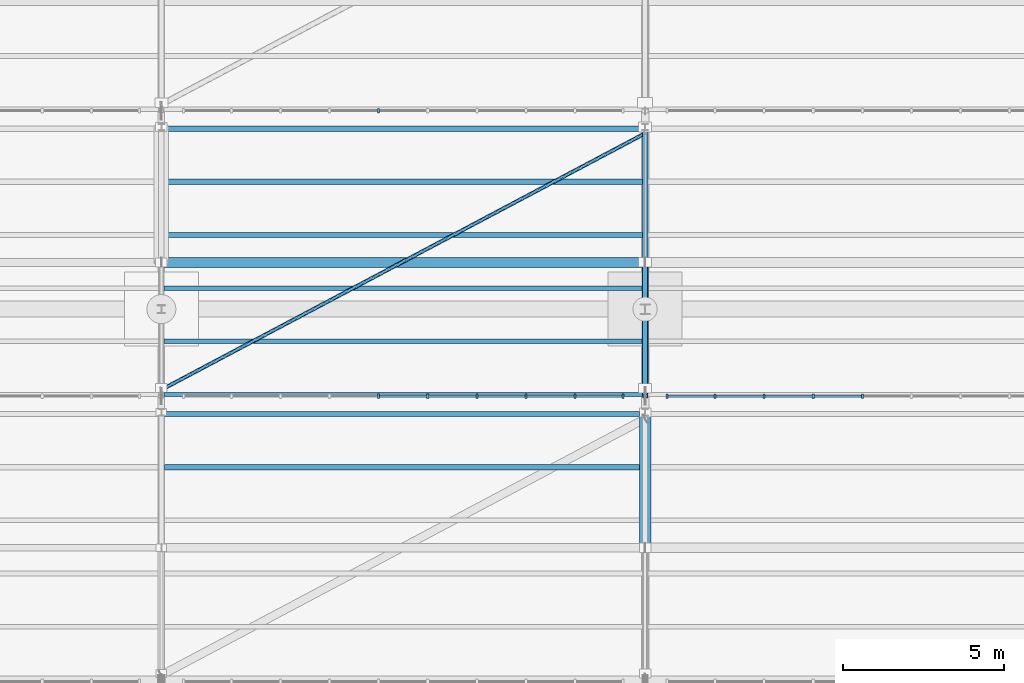
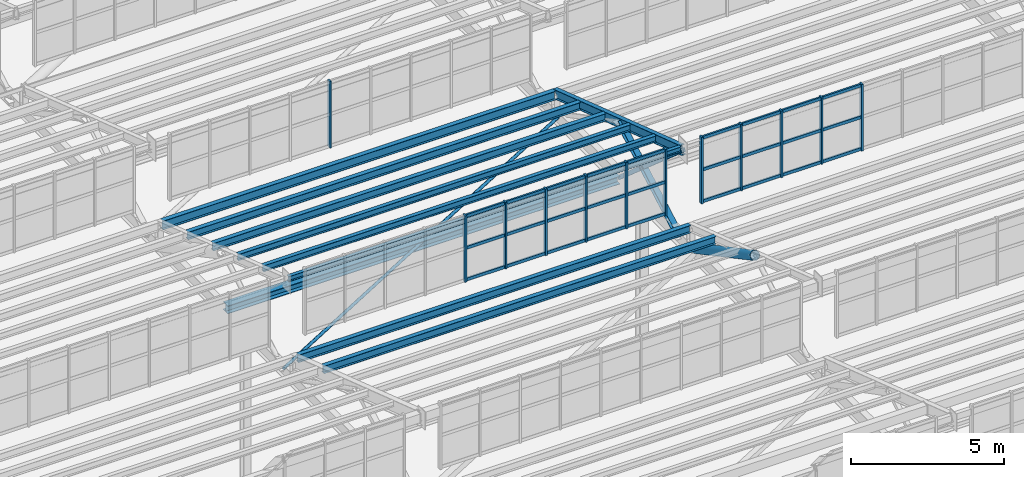
# One storey, part 89 of 285: 44 members, 9 beams, 3 elements without a shape of their own.
"""IFC4 building model written with IfcOpenShell, lengths in metres."""

from ifc_helpers import new_model, si_unit, direction, frame, origin, origin_2d, place, context, subcontext, project, spatial, rectangle, hollow_rectangle, hollow_circle, i_section, extrude, material, material_profile, profile_set, type_object, element, aggregate, save


model = new_model("IFC4")

# Units and contexts
model_context = context("Model", 3, precision=1e-05, world=origin(), true_north=direction((0.0, 1.0)))
body_context = subcontext(model_context, "Body", "Model", "MODEL_VIEW")
ifc_project = project(units=[si_unit("LENGTHUNIT", "METRE"), si_unit("AREAUNIT", "SQUARE_METRE"), si_unit("VOLUMEUNIT", "CUBIC_METRE"), si_unit("PLANEANGLEUNIT", "RADIAN"), si_unit("MASSUNIT", "GRAM", prefix="KILO")], contexts=[model_context])

# Site, building, storey
site_placement = place(None, origin())
site = spatial("IfcSite", under=ifc_project, at=site_placement, CompositionType="ELEMENT")
building_placement = place(site_placement, origin())
building = spatial("IfcBuilding", under=site, at=building_placement, Name="Solanera Park Tramway Depot", CompositionType="ELEMENT")
storey_placement = place(building_placement, origin())
storey = spatial("IfcBuildingStorey", under=building, at=storey_placement, Name="L00", CompositionType="ELEMENT", Elevation=0.0)

# Curtain wall, members
ifc_material_1 = material(Name="Bronze-anodised thermally broken aluminium curtain wall", Category="aluminium")
curtain_wall_type = type_object("IfcCurtainWallType", Name="Sawtooth Clerestory Monitor Curtain Wall", PredefinedType="NOTDEFINED", material=ifc_material_1)
curtain_wall_1_placement = place(storey_placement, origin())
curtain_wall_1 = element("IfcCurtainWall", 1, at=curtain_wall_1_placement, inside=storey, type_object=curtain_wall_type, Name="L00 Sawtooth Clerestory Monitor Curtain Wall #025", PredefinedType="NOTDEFINED")
ifc_material_2 = material(Name="Bronze-anodised structural aluminium 6063-T6", Category="aluminium")
ifc_material_profile_1 = material_profile(ifc_material_2, rectangle(XDim=0.06494140625, YDim=0.14990234375, at=origin_2d()), Name="Curtain Wall Mullion 65x150")
ifc_profile_set_1 = profile_set([ifc_material_profile_1], Name="Bronze-anodised structural aluminium 6063-T6")
member_type_1 = type_object("IfcMemberType", Name="Curtain Wall Mullion 65x150", PredefinedType="MULLION", material=ifc_profile_set_1)
member_1_placement = place(storey_placement, frame((96.739013671875, 82.300048828125, 7.75), z_axis=(0.0, 0.0, 1.0), x_axis=(1.0, 0.0, 0.0)))
member_1 = element("IfcMember", 2, at=member_1_placement, type_object=member_type_1, Name="CW-L00-025 Mullion 5", PredefinedType="MULLION", context=body_context, shape_type="SweptSolid", body=[
    extrude(rectangle(XDim=0.06494140625, YDim=0.14990234375, at=origin_2d()), origin(), (0.0, 0.0, 1.0), 2.6611328125),
])
member_2_placement = place(storey_placement, frame((98.260986328125, 82.300048828125, 7.75), z_axis=(0.0, 0.0, 1.0), x_axis=(1.0, 0.0, 0.0)))
member_2 = element("IfcMember", 3, at=member_2_placement, type_object=member_type_1, Name="CW-L00-025 Mullion 6", PredefinedType="MULLION", context=body_context, shape_type="SweptSolid", body=[
    extrude(rectangle(XDim=0.06494140625, YDim=0.14990234375, at=origin_2d()), origin(), (0.0, 0.0, 1.0), 2.6611328125),
])
member_3_placement = place(storey_placement, frame((99.783203125, 82.300048828125, 7.75), z_axis=(0.0, 0.0, 1.0), x_axis=(1.0, 0.0, 0.0)))
member_3 = element("IfcMember", 4, at=member_3_placement, type_object=member_type_1, Name="CW-L00-025 Mullion 7", PredefinedType="MULLION", context=body_context, shape_type="SweptSolid", body=[
    extrude(rectangle(XDim=0.06494140625, YDim=0.14990234375, at=origin_2d()), origin(), (0.0, 0.0, 1.0), 2.6611328125),
])
member_4_placement = place(storey_placement, frame((101.3056640625, 82.300048828125, 7.75), z_axis=(0.0, 0.0, 1.0), x_axis=(1.0, 0.0, 0.0)))
member_4 = element("IfcMember", 5, at=member_4_placement, type_object=member_type_1, Name="CW-L00-025 Mullion 8", PredefinedType="MULLION", context=body_context, shape_type="SweptSolid", body=[
    extrude(rectangle(XDim=0.06494140625, YDim=0.14990234375, at=origin_2d()), origin(), (0.0, 0.0, 1.0), 2.6611328125),
])
member_5_placement = place(storey_placement, frame((102.827880859375, 82.300048828125, 7.75), z_axis=(0.0, 0.0, 1.0), x_axis=(1.0, 0.0, 0.0)))
member_5 = element("IfcMember", 6, at=member_5_placement, type_object=member_type_1, Name="CW-L00-025 Mullion 9", PredefinedType="MULLION", context=body_context, shape_type="SweptSolid", body=[
    extrude(rectangle(XDim=0.06494140625, YDim=0.14990234375, at=origin_2d()), origin(), (0.0, 0.0, 1.0), 2.6611328125),
])
member_6_placement = place(storey_placement, frame((104.3173828125, 82.300048828125, 7.75), z_axis=(0.0, 0.0, 1.0), x_axis=(1.0, 0.0, 0.0)))
member_6 = element("IfcMember", 7, at=member_6_placement, type_object=member_type_1, Name="CW-L00-025 Mullion 10", PredefinedType="MULLION", context=body_context, shape_type="SweptSolid", body=[
    extrude(rectangle(XDim=0.06494140625, YDim=0.14990234375, at=origin_2d()), origin(), (0.0, 0.0, 1.0), 2.6611328125),
])

curtain_wall_2_placement = place(storey_placement, origin())
curtain_wall_2 = element("IfcCurtainWall", 8, at=curtain_wall_2_placement, inside=storey, type_object=curtain_wall_type, Name="L00 Sawtooth Clerestory Monitor Curtain Wall #026", PredefinedType="NOTDEFINED")
member_7_placement = place(storey_placement, frame((105.6826171875, 82.300048828125, 7.75), z_axis=(0.0, 0.0, 1.0), x_axis=(1.0, 0.0, 0.0)))
member_7 = element("IfcMember", 9, at=member_7_placement, type_object=member_type_1, Name="CW-L00-026 Mullion 1", PredefinedType="MULLION", context=body_context, shape_type="SweptSolid", body=[
    extrude(rectangle(XDim=0.06494140625, YDim=0.14990234375, at=origin_2d()), origin(), (0.0, 0.0, 1.0), 2.6611328125),
])
member_8_placement = place(storey_placement, frame((107.172119140625, 82.300048828125, 7.75), z_axis=(0.0, 0.0, 1.0), x_axis=(1.0, 0.0, 0.0)))
member_8 = element("IfcMember", 10, at=member_8_placement, type_object=member_type_1, Name="CW-L00-026 Mullion 2", PredefinedType="MULLION", context=body_context, shape_type="SweptSolid", body=[
    extrude(rectangle(XDim=0.06494140625, YDim=0.14990234375, at=origin_2d()), origin(), (0.0, 0.0, 1.0), 2.6611328125),
])
member_9_placement = place(storey_placement, frame((108.6943359375, 82.300048828125, 7.75), z_axis=(0.0, 0.0, 1.0), x_axis=(1.0, 0.0, 0.0)))
member_9 = element("IfcMember", 11, at=member_9_placement, type_object=member_type_1, Name="CW-L00-026 Mullion 3", PredefinedType="MULLION", context=body_context, shape_type="SweptSolid", body=[
    extrude(rectangle(XDim=0.06494140625, YDim=0.14990234375, at=origin_2d()), origin(), (0.0, 0.0, 1.0), 2.6611328125),
])
member_10_placement = place(storey_placement, frame((110.216796875, 82.300048828125, 7.75), z_axis=(0.0, 0.0, 1.0), x_axis=(1.0, 0.0, 0.0)))
member_10 = element("IfcMember", 12, at=member_10_placement, type_object=member_type_1, Name="CW-L00-026 Mullion 4", PredefinedType="MULLION", context=body_context, shape_type="SweptSolid", body=[
    extrude(rectangle(XDim=0.06494140625, YDim=0.14990234375, at=origin_2d()), origin(), (0.0, 0.0, 1.0), 2.6611328125),
])
member_11_placement = place(storey_placement, frame((111.739013671875, 82.300048828125, 7.75), z_axis=(0.0, 0.0, 1.0), x_axis=(1.0, 0.0, 0.0)))
member_11 = element("IfcMember", 13, at=member_11_placement, type_object=member_type_1, Name="CW-L00-026 Mullion 5", PredefinedType="MULLION", context=body_context, shape_type="SweptSolid", body=[
    extrude(rectangle(XDim=0.06494140625, YDim=0.14990234375, at=origin_2d()), origin(), (0.0, 0.0, 1.0), 2.6611328125),
])

# Curtain wall, member
curtain_wall_3_placement = place(storey_placement, origin())
curtain_wall_3 = element("IfcCurtainWall", 14, at=curtain_wall_3_placement, inside=storey, type_object=curtain_wall_type, Name="L00 Sawtooth Clerestory Monitor Curtain Wall #033", PredefinedType="NOTDEFINED")
member_12_placement = place(storey_placement, frame((96.739013671875, 91.14990234375, 7.75), z_axis=(0.0, 0.0, 1.0), x_axis=(1.0, 0.0, 0.0)))
member_12 = element("IfcMember", 15, at=member_12_placement, type_object=member_type_1, Name="CW-L00-033 Mullion 5", PredefinedType="MULLION", context=body_context, shape_type="SweptSolid", body=[
    extrude(rectangle(XDim=0.06494140625, YDim=0.14990234375, at=origin_2d()), origin(), (0.0, 0.0, 1.0), 2.6611328125),
])
aggregate(curtain_wall_3, [member_12])

# Member
ifc_material_3 = material(Name="Bronze-anodised structural aluminium 6063-T6", Category="aluminium")
ifc_material_profile_2 = material_profile(ifc_material_3, rectangle(XDim=0.06494140625, YDim=0.1201171875, at=origin_2d()), Name="Curtain Wall Transom 65x120")
ifc_profile_set_2 = profile_set([ifc_material_profile_2], Name="Bronze-anodised structural aluminium 6063-T6")
member_type_2 = type_object("IfcMemberType", Name="Curtain Wall Transom 65x120", PredefinedType="USERDEFINED", material=ifc_profile_set_2)
member_13_placement = place(storey_placement, frame((96.766845703125, 82.300048828125, 7.81005859375), z_axis=(1.0, 0.0, 0.0), x_axis=(0.0, 1.0, 0.0)))
member_13 = element("IfcMember", 16, at=member_13_placement, type_object=member_type_2, Name="CW-L00-025 Transom R1.C5", ObjectType="TRANSOM", PredefinedType="USERDEFINED", context=body_context, shape_type="SweptSolid", body=[
    extrude(rectangle(XDim=0.06494140625, YDim=0.1201171875, at=origin_2d()), origin(), (0.0, 0.0, 1.0), 1.46630859375),
])

member_14_placement = place(storey_placement, frame((98.2890625, 82.300048828125, 7.81005859375), z_axis=(1.0, 0.0, 0.0), x_axis=(0.0, 1.0, 0.0)))
member_14 = element("IfcMember", 17, at=member_14_placement, type_object=member_type_2, Name="CW-L00-025 Transom R1.C6", ObjectType="TRANSOM", PredefinedType="USERDEFINED", context=body_context, shape_type="SweptSolid", body=[
    extrude(rectangle(XDim=0.06494140625, YDim=0.1201171875, at=origin_2d()), origin(), (0.0, 0.0, 1.0), 1.46630859375),
])

member_15_placement = place(storey_placement, frame((99.811279296875, 82.300048828125, 7.81005859375), z_axis=(1.0, 0.0, 0.0), x_axis=(0.0, 1.0, 0.0)))
member_15 = element("IfcMember", 18, at=member_15_placement, type_object=member_type_2, Name="CW-L00-025 Transom R1.C7", ObjectType="TRANSOM", PredefinedType="USERDEFINED", context=body_context, shape_type="SweptSolid", body=[
    extrude(rectangle(XDim=0.06494140625, YDim=0.1201171875, at=origin_2d()), origin(), (0.0, 0.0, 1.0), 1.46630859375),
])

member_16_placement = place(storey_placement, frame((101.33349609375, 82.300048828125, 7.81005859375), z_axis=(1.0, 0.0, 0.0), x_axis=(0.0, 1.0, 0.0)))
member_16 = element("IfcMember", 19, at=member_16_placement, type_object=member_type_2, Name="CW-L00-025 Transom R1.C8", ObjectType="TRANSOM", PredefinedType="USERDEFINED", context=body_context, shape_type="SweptSolid", body=[
    extrude(rectangle(XDim=0.06494140625, YDim=0.1201171875, at=origin_2d()), origin(), (0.0, 0.0, 1.0), 1.46630859375),
])

member_17_placement = place(storey_placement, frame((102.855712890625, 82.300048828125, 7.81005859375), z_axis=(1.0, 0.0, 0.0), x_axis=(0.0, 1.0, 0.0)))
member_17 = element("IfcMember", 20, at=member_17_placement, type_object=member_type_2, Name="CW-L00-025 Transom R1.C9", ObjectType="TRANSOM", PredefinedType="USERDEFINED", context=body_context, shape_type="SweptSolid", body=[
    extrude(rectangle(XDim=0.06494140625, YDim=0.1201171875, at=origin_2d()), origin(), (0.0, 0.0, 1.0), 1.433837890625),
])

member_18_placement = place(storey_placement, frame((96.766845703125, 82.300048828125, 9.08056640625), z_axis=(1.0, 0.0, 0.0), x_axis=(0.0, 1.0, 0.0)))
member_18 = element("IfcMember", 21, at=member_18_placement, type_object=member_type_2, Name="CW-L00-025 Transom R2.C5", ObjectType="TRANSOM", PredefinedType="USERDEFINED", context=body_context, shape_type="SweptSolid", body=[
    extrude(rectangle(XDim=0.06494140625, YDim=0.1201171875, at=origin_2d()), origin(), (0.0, 0.0, 1.0), 1.46630859375),
])

member_19_placement = place(storey_placement, frame((98.2890625, 82.300048828125, 9.08056640625), z_axis=(1.0, 0.0, 0.0), x_axis=(0.0, 1.0, 0.0)))
member_19 = element("IfcMember", 22, at=member_19_placement, type_object=member_type_2, Name="CW-L00-025 Transom R2.C6", ObjectType="TRANSOM", PredefinedType="USERDEFINED", context=body_context, shape_type="SweptSolid", body=[
    extrude(rectangle(XDim=0.06494140625, YDim=0.1201171875, at=origin_2d()), origin(), (0.0, 0.0, 1.0), 1.46630859375),
])

member_20_placement = place(storey_placement, frame((99.811279296875, 82.300048828125, 9.08056640625), z_axis=(1.0, 0.0, 0.0), x_axis=(0.0, 1.0, 0.0)))
member_20 = element("IfcMember", 23, at=member_20_placement, type_object=member_type_2, Name="CW-L00-025 Transom R2.C7", ObjectType="TRANSOM", PredefinedType="USERDEFINED", context=body_context, shape_type="SweptSolid", body=[
    extrude(rectangle(XDim=0.06494140625, YDim=0.1201171875, at=origin_2d()), origin(), (0.0, 0.0, 1.0), 1.46630859375),
])

member_21_placement = place(storey_placement, frame((101.33349609375, 82.300048828125, 9.08056640625), z_axis=(1.0, 0.0, 0.0), x_axis=(0.0, 1.0, 0.0)))
member_21 = element("IfcMember", 24, at=member_21_placement, type_object=member_type_2, Name="CW-L00-025 Transom R2.C8", ObjectType="TRANSOM", PredefinedType="USERDEFINED", context=body_context, shape_type="SweptSolid", body=[
    extrude(rectangle(XDim=0.06494140625, YDim=0.1201171875, at=origin_2d()), origin(), (0.0, 0.0, 1.0), 1.46630859375),
])

member_22_placement = place(storey_placement, frame((102.855712890625, 82.300048828125, 9.08056640625), z_axis=(1.0, 0.0, 0.0), x_axis=(0.0, 1.0, 0.0)))
member_22 = element("IfcMember", 25, at=member_22_placement, type_object=member_type_2, Name="CW-L00-025 Transom R2.C9", ObjectType="TRANSOM", PredefinedType="USERDEFINED", context=body_context, shape_type="SweptSolid", body=[
    extrude(rectangle(XDim=0.06494140625, YDim=0.1201171875, at=origin_2d()), origin(), (0.0, 0.0, 1.0), 1.433837890625),
])

member_23_placement = place(storey_placement, frame((96.766845703125, 82.300048828125, 10.351318359375), z_axis=(1.0, 0.0, 0.0), x_axis=(0.0, 1.0, 0.0)))
member_23 = element("IfcMember", 26, at=member_23_placement, type_object=member_type_2, Name="CW-L00-025 Transom R3.C5", ObjectType="TRANSOM", PredefinedType="USERDEFINED", context=body_context, shape_type="SweptSolid", body=[
    extrude(rectangle(XDim=0.06494140625, YDim=0.1201171875, at=origin_2d()), origin(), (0.0, 0.0, 1.0), 1.46630859375),
])

member_24_placement = place(storey_placement, frame((98.2890625, 82.300048828125, 10.351318359375), z_axis=(1.0, 0.0, 0.0), x_axis=(0.0, 1.0, 0.0)))
member_24 = element("IfcMember", 27, at=member_24_placement, type_object=member_type_2, Name="CW-L00-025 Transom R3.C6", ObjectType="TRANSOM", PredefinedType="USERDEFINED", context=body_context, shape_type="SweptSolid", body=[
    extrude(rectangle(XDim=0.06494140625, YDim=0.1201171875, at=origin_2d()), origin(), (0.0, 0.0, 1.0), 1.46630859375),
])

member_25_placement = place(storey_placement, frame((99.811279296875, 82.300048828125, 10.351318359375), z_axis=(1.0, 0.0, 0.0), x_axis=(0.0, 1.0, 0.0)))
member_25 = element("IfcMember", 28, at=member_25_placement, type_object=member_type_2, Name="CW-L00-025 Transom R3.C7", ObjectType="TRANSOM", PredefinedType="USERDEFINED", context=body_context, shape_type="SweptSolid", body=[
    extrude(rectangle(XDim=0.06494140625, YDim=0.1201171875, at=origin_2d()), origin(), (0.0, 0.0, 1.0), 1.46630859375),
])

member_26_placement = place(storey_placement, frame((101.33349609375, 82.300048828125, 10.351318359375), z_axis=(1.0, 0.0, 0.0), x_axis=(0.0, 1.0, 0.0)))
member_26 = element("IfcMember", 29, at=member_26_placement, type_object=member_type_2, Name="CW-L00-025 Transom R3.C8", ObjectType="TRANSOM", PredefinedType="USERDEFINED", context=body_context, shape_type="SweptSolid", body=[
    extrude(rectangle(XDim=0.06494140625, YDim=0.1201171875, at=origin_2d()), origin(), (0.0, 0.0, 1.0), 1.46630859375),
])

member_27_placement = place(storey_placement, frame((102.855712890625, 82.300048828125, 10.351318359375), z_axis=(1.0, 0.0, 0.0), x_axis=(0.0, 1.0, 0.0)))
member_27 = element("IfcMember", 30, at=member_27_placement, type_object=member_type_2, Name="CW-L00-025 Transom R3.C9", ObjectType="TRANSOM", PredefinedType="USERDEFINED", context=body_context, shape_type="SweptSolid", body=[
    extrude(rectangle(XDim=0.06494140625, YDim=0.1201171875, at=origin_2d()), origin(), (0.0, 0.0, 1.0), 1.433837890625),
])

aggregate(curtain_wall_1, [member_1, member_2, member_3, member_4, member_5, member_6, member_13, member_14, member_15, member_16, member_17, member_18, member_19, member_20, member_21, member_22, member_23, member_24, member_25, member_26, member_27])

member_28_placement = place(storey_placement, frame((105.71044921875, 82.300048828125, 7.81005859375), z_axis=(1.0, 0.0, 0.0), x_axis=(0.0, 1.0, 0.0)))
member_28 = element("IfcMember", 31, at=member_28_placement, type_object=member_type_2, Name="CW-L00-026 Transom R1.C1", ObjectType="TRANSOM", PredefinedType="USERDEFINED", context=body_context, shape_type="SweptSolid", body=[
    extrude(rectangle(XDim=0.06494140625, YDim=0.1201171875, at=origin_2d()), origin(), (0.0, 0.0, 1.0), 1.433837890625),
])

member_29_placement = place(storey_placement, frame((107.2001953125, 82.300048828125, 7.81005859375), z_axis=(1.0, 0.0, 0.0), x_axis=(0.0, 1.0, 0.0)))
member_29 = element("IfcMember", 32, at=member_29_placement, type_object=member_type_2, Name="CW-L00-026 Transom R1.C2", ObjectType="TRANSOM", PredefinedType="USERDEFINED", context=body_context, shape_type="SweptSolid", body=[
    extrude(rectangle(XDim=0.06494140625, YDim=0.1201171875, at=origin_2d()), origin(), (0.0, 0.0, 1.0), 1.46630859375),
])

member_30_placement = place(storey_placement, frame((108.722412109375, 82.300048828125, 7.81005859375), z_axis=(1.0, 0.0, 0.0), x_axis=(0.0, 1.0, 0.0)))
member_30 = element("IfcMember", 33, at=member_30_placement, type_object=member_type_2, Name="CW-L00-026 Transom R1.C3", ObjectType="TRANSOM", PredefinedType="USERDEFINED", context=body_context, shape_type="SweptSolid", body=[
    extrude(rectangle(XDim=0.06494140625, YDim=0.1201171875, at=origin_2d()), origin(), (0.0, 0.0, 1.0), 1.46630859375),
])

member_31_placement = place(storey_placement, frame((110.24462890625, 82.300048828125, 7.81005859375), z_axis=(1.0, 0.0, 0.0), x_axis=(0.0, 1.0, 0.0)))
member_31 = element("IfcMember", 34, at=member_31_placement, type_object=member_type_2, Name="CW-L00-026 Transom R1.C4", ObjectType="TRANSOM", PredefinedType="USERDEFINED", context=body_context, shape_type="SweptSolid", body=[
    extrude(rectangle(XDim=0.06494140625, YDim=0.1201171875, at=origin_2d()), origin(), (0.0, 0.0, 1.0), 1.46630859375),
])

member_32_placement = place(storey_placement, frame((105.71044921875, 82.300048828125, 9.08056640625), z_axis=(1.0, 0.0, 0.0), x_axis=(0.0, 1.0, 0.0)))
member_32 = element("IfcMember", 35, at=member_32_placement, type_object=member_type_2, Name="CW-L00-026 Transom R2.C1", ObjectType="TRANSOM", PredefinedType="USERDEFINED", context=body_context, shape_type="SweptSolid", body=[
    extrude(rectangle(XDim=0.06494140625, YDim=0.1201171875, at=origin_2d()), origin(), (0.0, 0.0, 1.0), 1.433837890625),
])

member_33_placement = place(storey_placement, frame((107.2001953125, 82.300048828125, 9.08056640625), z_axis=(1.0, 0.0, 0.0), x_axis=(0.0, 1.0, 0.0)))
member_33 = element("IfcMember", 36, at=member_33_placement, type_object=member_type_2, Name="CW-L00-026 Transom R2.C2", ObjectType="TRANSOM", PredefinedType="USERDEFINED", context=body_context, shape_type="SweptSolid", body=[
    extrude(rectangle(XDim=0.06494140625, YDim=0.1201171875, at=origin_2d()), origin(), (0.0, 0.0, 1.0), 1.46630859375),
])

member_34_placement = place(storey_placement, frame((108.722412109375, 82.300048828125, 9.08056640625), z_axis=(1.0, 0.0, 0.0), x_axis=(0.0, 1.0, 0.0)))
member_34 = element("IfcMember", 37, at=member_34_placement, type_object=member_type_2, Name="CW-L00-026 Transom R2.C3", ObjectType="TRANSOM", PredefinedType="USERDEFINED", context=body_context, shape_type="SweptSolid", body=[
    extrude(rectangle(XDim=0.06494140625, YDim=0.1201171875, at=origin_2d()), origin(), (0.0, 0.0, 1.0), 1.46630859375),
])

member_35_placement = place(storey_placement, frame((110.24462890625, 82.300048828125, 9.08056640625), z_axis=(1.0, 0.0, 0.0), x_axis=(0.0, 1.0, 0.0)))
member_35 = element("IfcMember", 38, at=member_35_placement, type_object=member_type_2, Name="CW-L00-026 Transom R2.C4", ObjectType="TRANSOM", PredefinedType="USERDEFINED", context=body_context, shape_type="SweptSolid", body=[
    extrude(rectangle(XDim=0.06494140625, YDim=0.1201171875, at=origin_2d()), origin(), (0.0, 0.0, 1.0), 1.46630859375),
])

member_36_placement = place(storey_placement, frame((105.71044921875, 82.300048828125, 10.351318359375), z_axis=(1.0, 0.0, 0.0), x_axis=(0.0, 1.0, 0.0)))
member_36 = element("IfcMember", 39, at=member_36_placement, type_object=member_type_2, Name="CW-L00-026 Transom R3.C1", ObjectType="TRANSOM", PredefinedType="USERDEFINED", context=body_context, shape_type="SweptSolid", body=[
    extrude(rectangle(XDim=0.06494140625, YDim=0.1201171875, at=origin_2d()), origin(), (0.0, 0.0, 1.0), 1.433837890625),
])

member_37_placement = place(storey_placement, frame((107.2001953125, 82.300048828125, 10.351318359375), z_axis=(1.0, 0.0, 0.0), x_axis=(0.0, 1.0, 0.0)))
member_37 = element("IfcMember", 40, at=member_37_placement, type_object=member_type_2, Name="CW-L00-026 Transom R3.C2", ObjectType="TRANSOM", PredefinedType="USERDEFINED", context=body_context, shape_type="SweptSolid", body=[
    extrude(rectangle(XDim=0.06494140625, YDim=0.1201171875, at=origin_2d()), origin(), (0.0, 0.0, 1.0), 1.46630859375),
])

member_38_placement = place(storey_placement, frame((108.722412109375, 82.300048828125, 10.351318359375), z_axis=(1.0, 0.0, 0.0), x_axis=(0.0, 1.0, 0.0)))
member_38 = element("IfcMember", 41, at=member_38_placement, type_object=member_type_2, Name="CW-L00-026 Transom R3.C3", ObjectType="TRANSOM", PredefinedType="USERDEFINED", context=body_context, shape_type="SweptSolid", body=[
    extrude(rectangle(XDim=0.06494140625, YDim=0.1201171875, at=origin_2d()), origin(), (0.0, 0.0, 1.0), 1.46630859375),
])

member_39_placement = place(storey_placement, frame((110.24462890625, 82.300048828125, 10.351318359375), z_axis=(1.0, 0.0, 0.0), x_axis=(0.0, 1.0, 0.0)))
member_39 = element("IfcMember", 42, at=member_39_placement, type_object=member_type_2, Name="CW-L00-026 Transom R3.C4", ObjectType="TRANSOM", PredefinedType="USERDEFINED", context=body_context, shape_type="SweptSolid", body=[
    extrude(rectangle(XDim=0.06494140625, YDim=0.1201171875, at=origin_2d()), origin(), (0.0, 0.0, 1.0), 1.46630859375),
])

aggregate(curtain_wall_2, [member_7, member_8, member_9, member_10, member_11, member_28, member_29, member_30, member_31, member_32, member_33, member_34, member_35, member_36, member_37, member_38, member_39])

# Members
ifc_material_4 = material(Name="Steel AS/NZS 3679.1 Grade 350", Category="steel")
ifc_material_profile_3 = material_profile(ifc_material_4, i_section(OverallWidth=0.205078125, OverallDepth=0.209716796875, WebThickness=0.00927734375, FlangeThickness=0.01416015625, at=origin_2d()), Name="200UC59.5")
ifc_profile_set_3 = profile_set([ifc_material_profile_3], Name="Steel AS/NZS 3679.1 Grade 350")
member_type_3 = type_object("IfcMemberType", Name="Roof Gantry Compression Strut 200UC59.5", PredefinedType="STRUT", material=ifc_profile_set_3)
member_40_placement = place(storey_placement, frame((105.0, 82.550048828125, 6.5), z_axis=(0.0, 0.869202540842, 0.49445620938), x_axis=(-1.0, 0.0, 0.0)))
element("IfcMember", 43, at=member_40_placement, inside=storey, type_object=member_type_3, Name="Sawtooth ROOF TRUSS Strut 200UC59.5 #0155", PredefinedType="STRUT", context=body_context, shape_type="SweptSolid", body=[
    extrude(i_section(OverallWidth=0.205078125, OverallDepth=0.209716796875, WebThickness=0.00927734375, FlangeThickness=0.01416015625, at=origin_2d()), origin(), (0.0, 0.0, 1.0), 4.48681640625),
])
ifc_material_5 = material(Name="Steel AS/NZS 3679.1 Grade 350", Category="steel")
ifc_material_profile_4 = material_profile(ifc_material_5, i_section(OverallWidth=0.306884765625, OverallDepth=0.314697265625, WebThickness=0.011962890625, FlangeThickness=0.018798828125, at=origin_2d()), Name="310UC118")
ifc_profile_set_4 = profile_set([ifc_material_profile_4], Name="Steel AS/NZS 3679.1 Grade 350")
member_type_4 = type_object("IfcMemberType", Name="Secondary Truss Chord 310UC118", PredefinedType="CHORD", material=ifc_profile_set_4)
member_41_placement = place(storey_placement, frame((90.087890625, 86.449951171875, 6.5), z_axis=(1.0, 0.0, 0.0), x_axis=(0.0, 1.0, 0.0)))
element("IfcMember", 44, at=member_41_placement, inside=storey, type_object=member_type_4, Name="Sawtooth Longitudinal Tie Chord 310UC118 #0173", PredefinedType="CHORD", context=body_context, shape_type="SweptSolid", body=[
    extrude(i_section(OverallWidth=0.306884765625, OverallDepth=0.314697265625, WebThickness=0.011962890625, FlangeThickness=0.018798828125, at=origin_2d()), origin(), (0.0, 0.0, 1.0), 14.82421875),
])

# Beams
ifc_material_6 = material(Name="Steel AS/NZS 3679.1 Grade 350", Category="steel")
ifc_material_profile_5 = material_profile(ifc_material_6, i_section(OverallWidth=0.17138671875, OverallDepth=0.355712890625, WebThickness=0.00732421875, FlangeThickness=0.011474609375, at=origin_2d()), Name="360UB50.7")
ifc_profile_set_5 = profile_set([ifc_material_profile_5], Name="Steel AS/NZS 3679.1 Grade 350")
beam_type_1 = type_object("IfcBeamType", Name="Steel Beam 360UB50.7", PredefinedType="BEAM", material=ifc_profile_set_5)
beam_1_placement = place(storey_placement, frame((105.0, 82.300048828125, 10.10693359375), z_axis=(0.0, 0.948319437663, -0.317317261034), x_axis=(-1.0, 0.0, 0.0)))
element("IfcBeam", 45, at=beam_1_placement, inside=storey, type_object=beam_type_1, Name="Sawtooth ROOF TRUSS Top Rafter 360UB50.7 B04-T8", PredefinedType="BEAM", context=body_context, shape_type="SweptSolid", body=[
    extrude(i_section(OverallWidth=0.17138671875, OverallDepth=0.355712890625, WebThickness=0.00732421875, FlangeThickness=0.011474609375, at=origin_2d()), origin(), (0.0, 0.0, 1.0), 8.804931640625),
])
ifc_material_7 = material(Name="Steel AS/NZS 3679.1 Grade 350", Category="steel")
ifc_material_profile_6 = material_profile(ifc_material_7, i_section(OverallWidth=0.13330078125, OverallDepth=0.203125, WebThickness=0.005859375, FlangeThickness=0.0078125, at=origin_2d()), Name="200UB25.4")
ifc_profile_set_6 = profile_set([ifc_material_profile_6], Name="Steel AS/NZS 3679.1 Grade 350")
beam_type_2 = type_object("IfcBeamType", Name="Steel Joist Purlin 200UB25.4", PredefinedType="JOIST", material=ifc_profile_set_6)
beam_2_placement = place(storey_placement, frame((90.074951171875, 82.35009765625, 10.166259765625), z_axis=(1.0, 0.0, 0.0), x_axis=(0.0, 1.0, 0.0)))
element("IfcBeam", 46, at=beam_2_placement, inside=storey, type_object=beam_type_2, Name="Sawtooth Roof Purlin 200UB25.4 B04.1", PredefinedType="JOIST", context=body_context, shape_type="SweptSolid", body=[
    extrude(i_section(OverallWidth=0.13330078125, OverallDepth=0.203125, WebThickness=0.005859375, FlangeThickness=0.0078125, at=origin_2d()), origin(), (0.0, 0.0, 1.0), 14.84716796875),
])
ifc_material_8 = material(Name="Steel AS/NZS 3679.1 Grade 350", Category="steel")
ifc_material_profile_7 = material_profile(ifc_material_8, i_section(OverallWidth=0.14599609375, OverallDepth=0.251708984375, WebThickness=0.006103515625, FlangeThickness=0.008544921875, at=origin_2d()), Name="250UB31.4")
ifc_profile_set_7 = profile_set([ifc_material_profile_7], Name="Steel AS/NZS 3679.1 Grade 350")
beam_type_3 = type_object("IfcBeamType", Name="Steel Joist Purlin 250UB31.4", PredefinedType="JOIST", material=ifc_profile_set_7)
beam_3_placement = place(storey_placement, frame((90.074951171875, 84.0, 9.587890625), z_axis=(1.0, 0.0, 0.0), x_axis=(0.0, 1.0, 0.0)))
element("IfcBeam", 47, at=beam_3_placement, inside=storey, type_object=beam_type_3, Name="Sawtooth Roof Purlin 250UB31.4 B04.2", PredefinedType="JOIST", context=body_context, shape_type="SweptSolid", body=[
    extrude(i_section(OverallWidth=0.14599609375, OverallDepth=0.251708984375, WebThickness=0.006103515625, FlangeThickness=0.008544921875, at=origin_2d()), origin(), (0.0, 0.0, 1.0), 14.84716796875),
])
ifc_material_9 = material(Name="Steel AS/NZS 3679.1 Grade 350", Category="steel")
ifc_material_profile_8 = material_profile(ifc_material_9, i_section(OverallWidth=0.146484375, OverallDepth=0.256103515625, WebThickness=0.00634765625, FlangeThickness=0.010986328125, at=origin_2d()), Name="250UB37.3")
ifc_profile_set_8 = profile_set([ifc_material_profile_8], Name="Steel AS/NZS 3679.1 Grade 350")
beam_type_4 = type_object("IfcBeamType", Name="Steel Joist Purlin 250UB37.3", PredefinedType="JOIST", material=ifc_profile_set_8)
beam_4_placement = place(storey_placement, frame((90.074951171875, 85.64990234375, 9.033203125), z_axis=(1.0, 0.0, 0.0), x_axis=(0.0, 1.0, 0.0)))
element("IfcBeam", 48, at=beam_4_placement, inside=storey, type_object=beam_type_4, Name="Sawtooth Roof Purlin 250UB37.3 B04.3", PredefinedType="JOIST", context=body_context, shape_type="SweptSolid", body=[
    extrude(i_section(OverallWidth=0.146484375, OverallDepth=0.256103515625, WebThickness=0.00634765625, FlangeThickness=0.010986328125, at=origin_2d()), origin(), (0.0, 0.0, 1.0), 14.84716796875),
])
ifc_material_10 = material(Name="Steel AS/NZS 3679.1 Grade 350", Category="steel")
ifc_material_profile_9 = material_profile(ifc_material_10, i_section(OverallWidth=0.1650390625, OverallDepth=0.3037109375, WebThickness=0.006103515625, FlangeThickness=0.01025390625, at=origin_2d()), Name="310UB40.4")
ifc_profile_set_9 = profile_set([ifc_material_profile_9], Name="Steel AS/NZS 3679.1 Grade 350")
beam_type_5 = type_object("IfcBeamType", Name="Steel Joist Purlin 310UB40.4", PredefinedType="JOIST", material=ifc_profile_set_9)
beam_5_placement = place(storey_placement, frame((90.0966796875, 80.10009765625, 7.902099609375), z_axis=(1.0, 0.0, 0.0), x_axis=(0.0, 1.0, 0.0)))
element("IfcBeam", 49, at=beam_5_placement, inside=storey, type_object=beam_type_5, Name="Sawtooth Roof Purlin 310UB40.4 B03.5", PredefinedType="JOIST", context=body_context, shape_type="SweptSolid", body=[
    extrude(i_section(OverallWidth=0.1650390625, OverallDepth=0.3037109375, WebThickness=0.006103515625, FlangeThickness=0.01025390625, at=origin_2d()), origin(), (0.0, 0.0, 1.0), 14.828369140625),
])
beam_6_placement = place(storey_placement, frame((90.074951171875, 87.300048828125, 8.454345703125), z_axis=(1.0, 0.0, 0.0), x_axis=(0.0, 1.0, 0.0)))
element("IfcBeam", 50, at=beam_6_placement, inside=storey, type_object=beam_type_5, Name="Sawtooth Roof Purlin 310UB40.4 B04.4", PredefinedType="JOIST", context=body_context, shape_type="SweptSolid", body=[
    extrude(i_section(OverallWidth=0.1650390625, OverallDepth=0.3037109375, WebThickness=0.006103515625, FlangeThickness=0.01025390625, at=origin_2d()), origin(), (0.0, 0.0, 1.0), 14.84716796875),
])
ifc_material_11 = material(Name="Steel AS/NZS 3679.1 Grade 350", Category="steel")
ifc_material_profile_10 = material_profile(ifc_material_11, i_section(OverallWidth=0.166015625, OverallDepth=0.30712890625, WebThickness=0.006591796875, FlangeThickness=0.01171875, at=origin_2d()), Name="310UB46.2")
ifc_profile_set_10 = profile_set([ifc_material_profile_10], Name="Steel AS/NZS 3679.1 Grade 350")
beam_type_6 = type_object("IfcBeamType", Name="Steel Joist Purlin 310UB46.2", PredefinedType="JOIST", material=ifc_profile_set_10)
beam_7_placement = place(storey_placement, frame((90.0966796875, 81.75, 7.348388671875), z_axis=(1.0, 0.0, 0.0), x_axis=(0.0, 1.0, 0.0)))
element("IfcBeam", 51, at=beam_7_placement, inside=storey, type_object=beam_type_6, Name="Sawtooth Roof Purlin 310UB46.2 B03.6", PredefinedType="JOIST", context=body_context, shape_type="SweptSolid", body=[
    extrude(i_section(OverallWidth=0.166015625, OverallDepth=0.30712890625, WebThickness=0.006591796875, FlangeThickness=0.01171875, at=origin_2d()), origin(), (0.0, 0.0, 1.0), 14.828369140625),
])
beam_8_placement = place(storey_placement, frame((90.074951171875, 88.949951171875, 7.900390625), z_axis=(1.0, 0.0, 0.0), x_axis=(0.0, 1.0, 0.0)))
element("IfcBeam", 52, at=beam_8_placement, inside=storey, type_object=beam_type_6, Name="Sawtooth Roof Purlin 310UB46.2 B04.5", PredefinedType="JOIST", context=body_context, shape_type="SweptSolid", body=[
    extrude(i_section(OverallWidth=0.166015625, OverallDepth=0.30712890625, WebThickness=0.006591796875, FlangeThickness=0.01171875, at=origin_2d()), origin(), (0.0, 0.0, 1.0), 14.84716796875),
])
ifc_material_12 = material(Name="Steel AS/NZS 3679.1 Grade 350", Category="steel")
ifc_material_profile_11 = material_profile(ifc_material_12, i_section(OverallWidth=0.17138671875, OverallDepth=0.355712890625, WebThickness=0.00732421875, FlangeThickness=0.011474609375, at=origin_2d()), Name="360UB50.7")
ifc_profile_set_11 = profile_set([ifc_material_profile_11], Name="Steel AS/NZS 3679.1 Grade 350")
beam_type_7 = type_object("IfcBeamType", Name="Steel Joist Purlin 360UB50.7", PredefinedType="JOIST", material=ifc_profile_set_11)
beam_9_placement = place(storey_placement, frame((90.074951171875, 90.60009765625, 7.3232421875), z_axis=(1.0, 0.0, 0.0), x_axis=(0.0, 1.0, 0.0)))
element("IfcBeam", 53, at=beam_9_placement, inside=storey, type_object=beam_type_7, Name="Sawtooth Roof Purlin 360UB50.7 B04.6", PredefinedType="JOIST", context=body_context, shape_type="SweptSolid", body=[
    extrude(i_section(OverallWidth=0.17138671875, OverallDepth=0.355712890625, WebThickness=0.00732421875, FlangeThickness=0.011474609375, at=origin_2d()), origin(), (0.0, 0.0, 1.0), 14.84716796875),
])

# Members
ifc_material_13 = material(Name="Steel AS/NZS 1163 Grade C350L0", Category="steel")
ifc_material_profile_12 = material_profile(ifc_material_13, hollow_circle(Radius=0.05712890625, WallThickness=0.0048828125, at=origin_2d()), Name="114.3x4.8 CHS")
ifc_profile_set_12 = profile_set([ifc_material_profile_12], Name="Steel AS/NZS 1163 Grade C350L0")
member_type_5 = type_object("IfcMemberType", Name="Truss and Frame Brace 114.3x4.8 CHS", PredefinedType="BRACE", material=ifc_profile_set_12)
member_42_placement = place(storey_placement, frame((90.001953125, 82.5, 6.5), z_axis=(0.883523615038, 0.468386615598, 0.0), x_axis=(-0.468386615598, 0.883523615038, 0.0)))
element("IfcMember", 54, at=member_42_placement, inside=storey, type_object=member_type_5, Name="Roof Plane Cyclonic Brace 114.3x4.8 CHS #0174", PredefinedType="BRACE", context=body_context, shape_type="SweptSolid", body=[
    extrude(hollow_circle(Radius=0.05712890625, WallThickness=0.0048828125, at=origin_2d()), origin(), (0.0, 0.0, 1.0), 16.97314453125),
])
ifc_material_14 = material(Name="Steel AS/NZS 1163 Grade C350L0", Category="steel")
ifc_material_profile_13 = material_profile(ifc_material_14, hollow_rectangle(XDim=0.14990234375, YDim=0.14990234375, WallThickness=0.006103515625, at=origin_2d()), Name="150x150x6.0 SHS")
ifc_profile_set_13 = profile_set([ifc_material_profile_13], Name="Steel AS/NZS 1163 Grade C350L0")
member_type_6 = type_object("IfcMemberType", Name="Truss and Frame Brace 150x150x6.0 SHS", PredefinedType="BRACE", material=ifc_profile_set_13)
member_43_placement = place(storey_placement, frame((105.0, 86.449951171875, 6.5), z_axis=(0.0, -0.754756538157, 0.656005006162), x_axis=(1.0, 0.0, 0.0)))
element("IfcMember", 55, at=member_43_placement, inside=storey, type_object=member_type_6, Name="Sawtooth ROOF TRUSS Web Brace 150x150x6.0 SHS #0153", PredefinedType="BRACE", context=body_context, shape_type="SweptSolid", body=[
    extrude(hollow_rectangle(XDim=0.14990234375, YDim=0.14990234375, WallThickness=0.006103515625, at=origin_2d()), origin(), (0.0, 0.0, 1.0), 5.498291015625),
])
ifc_material_15 = material(Name="Steel AS/NZS 1163 Grade C350L0", Category="steel")
ifc_material_profile_14 = material_profile(ifc_material_15, hollow_circle(Radius=0.177734375, WallThickness=0.0126953125, at=origin_2d()), Name="355.6x12.7 CHS")
ifc_profile_set_14 = profile_set([ifc_material_profile_14], Name="Steel AS/NZS 1163 Grade C350L0")
member_type_7 = type_object("IfcMemberType", Name="Truss and Frame Brace 355.6x12.7 CHS", PredefinedType="BRACE", material=ifc_profile_set_14)
member_44_placement = place(storey_placement, frame((105.0, 81.800048828125, 6.5), z_axis=(0.0, -0.882117205046, 0.471029974165), x_axis=(1.0, 0.0, 0.0)))
element("IfcMember", 56, at=member_44_placement, inside=storey, type_object=member_type_7, Name="Sawtooth ROOF TRUSS Diagonal 355.6x12.7 CHS #0107", PredefinedType="BRACE", context=body_context, shape_type="SweptSolid", body=[
    extrude(hollow_circle(Radius=0.177734375, WallThickness=0.0126953125, at=origin_2d()), origin(), (0.0, 0.0, 1.0), 4.76123046875),
])

save(model, "model.ifc")
